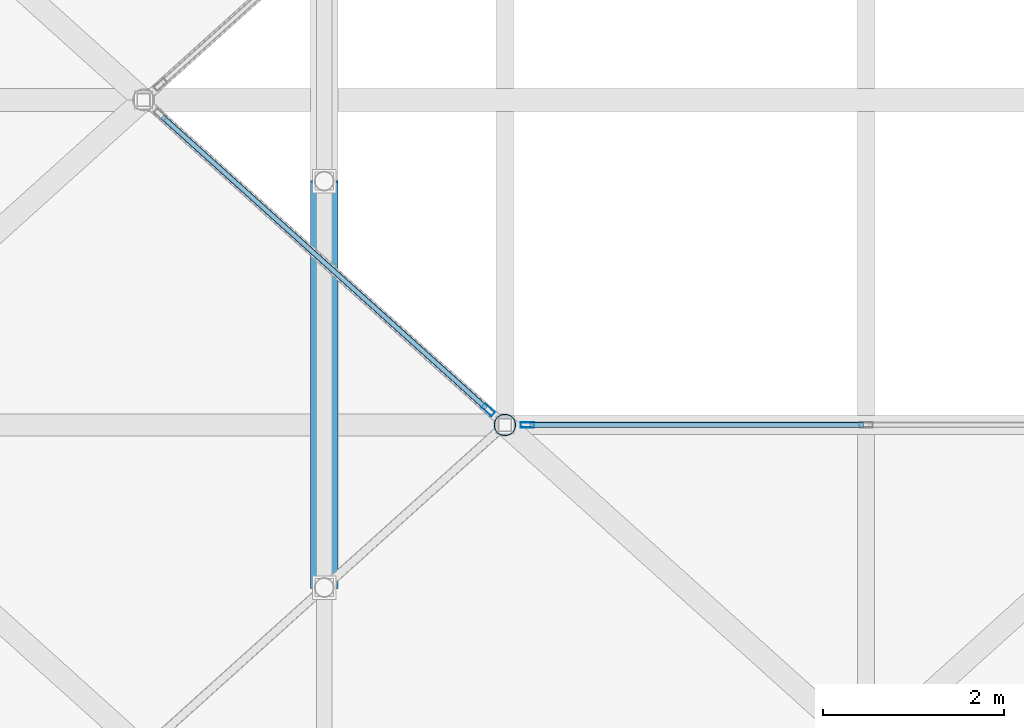
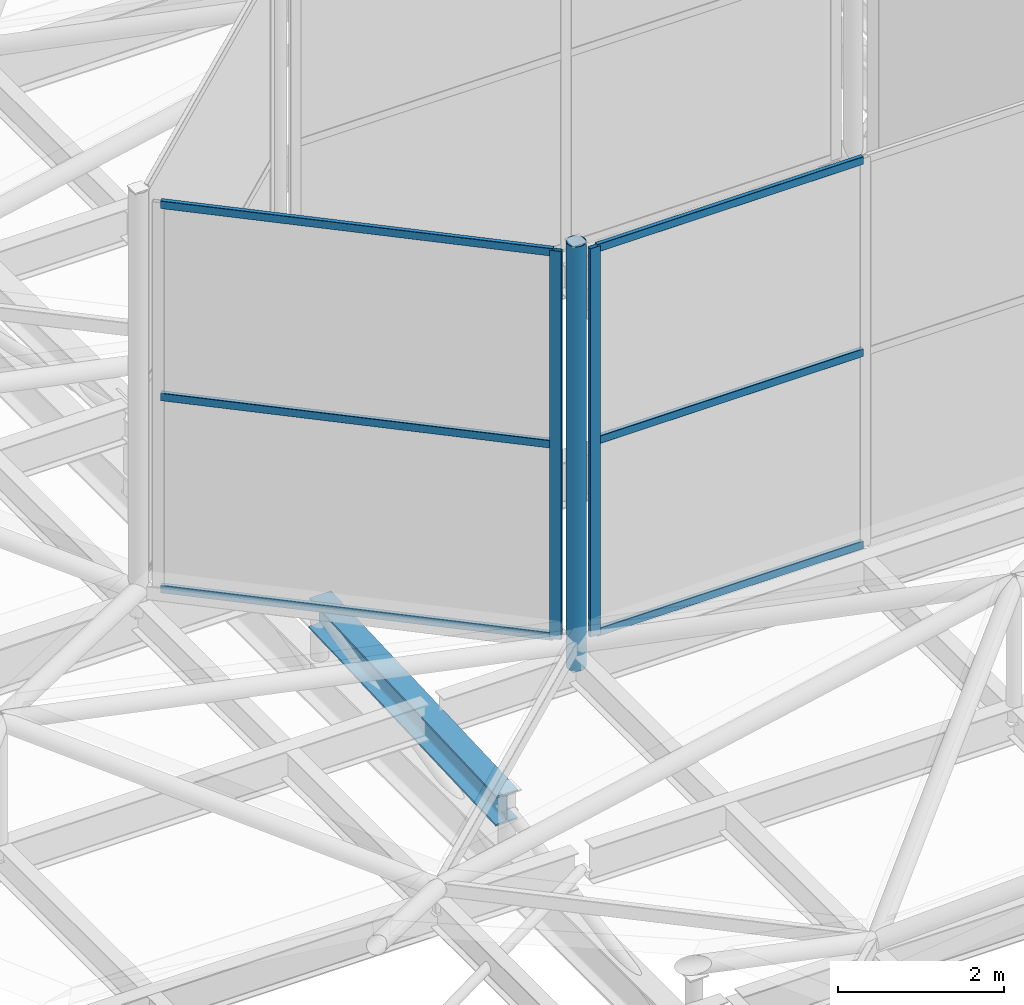
# One storey, part 23 of 239: 9 members, 1 beam, 2 elements without a shape of their own.
"""IFC4 building model written with IfcOpenShell, lengths in metres."""

import ifcopenshell
import ifcopenshell.guid

model = None  # the IFC model being written
_history = None  # IfcOwnerHistory: only IFC2X3 demands one
_inside = {}  # id of a spatial element -> (the spatial element, [elements in it])
_under = {}  # id of a project, library or spatial element -> (it, [spatial elements below it])
_declared = {}  # id of a project -> (the project, [libraries it declares])
_typed = {}  # id of a type object -> (the type object, [elements of that type])
_made_of = {}  # id of a material, layer set ... -> (it, [elements and type objects made of it])


def new_model(schema):
    """Start an empty IFC model of exactly this schema.

    Asked for "IFC4X3", IfcOpenShell would pick the latest addendum, in which some entities
    have other attributes; the version numbers below select the first issue.
    IFC2X3 requires an IfcOwnerHistory on every rooted entity: one is made here for all.
    """
    global model, _history
    if schema == "IFC4X3":
        model = ifcopenshell.file(schema_version=(4, 3, 0, 0))
    else:
        model = ifcopenshell.file(schema=schema)
    _inside.clear()
    _under.clear()
    _declared.clear()
    _typed.clear()
    _made_of.clear()
    _history = None
    if model.schema == "IFC2X3":
        org = make("IfcOrganization", Name="unknown")
        user = make(
            "IfcPersonAndOrganization",
            ThePerson=make("IfcPerson", FamilyName="unknown"),
            TheOrganization=org,
        )
        app = make(
            "IfcApplication",
            ApplicationDeveloper=org,
            Version="unknown",
            ApplicationFullName="unknown",
            ApplicationIdentifier="unknown",
        )
        _history = make(
            "IfcOwnerHistory",
            OwningUser=user,
            OwningApplication=app,
            ChangeAction="ADDED",
            CreationDate=0,
        )
    return model


def make(cls, **values):
    """One entity of the class cls with the attributes given. An attribute that is None is left unset."""
    return model.create_entity(
        cls, **{name: value for name, value in values.items() if value is not None}
    )


def rooted(cls, **values):
    """An entity with a GlobalId (a new one), such as an element, a storey or a relation."""
    return make(cls, GlobalId=ifcopenshell.guid.new(), OwnerHistory=_history, **values)


def si_unit(unit_type, name, prefix=None):
    """IfcSIUnit, for example si_unit("LENGTHUNIT", "METRE", prefix="MILLI")."""
    return make("IfcSIUnit", UnitType=unit_type, Prefix=prefix, Name=name)


def assignment(units):
    """IfcUnitAssignment: the units of a project."""
    return None if units is None else make("IfcUnitAssignment", Units=units)


def point(xyz):
    """IfcCartesianPoint."""
    return None if xyz is None else make("IfcCartesianPoint", Coordinates=xyz)


def direction(xyz):
    """IfcDirection."""
    return None if xyz is None else make("IfcDirection", DirectionRatios=xyz)


def frame(location, z_axis=None, x_axis=None):
    """IfcAxis2Placement3D, a coordinate frame: its origin and axes. An axis left out is left unset."""
    return make(
        "IfcAxis2Placement3D",
        Location=point(location),
        Axis=direction(z_axis),
        RefDirection=direction(x_axis),
    )


def frame_2d(location, x_axis=None):
    """IfcAxis2Placement2D, a coordinate frame in the plane: its origin and x axis."""
    return make(
        "IfcAxis2Placement2D", Location=point(location), RefDirection=direction(x_axis)
    )


def origin():
    """The frame at (0, 0, 0) with its axes left unset."""
    return frame((0.0, 0.0, 0.0))


def origin_2d():
    """The frame at (0, 0) in the plane with its x axis left unset."""
    return frame_2d((0.0, 0.0))


def place(relative_to, where):
    """IfcLocalPlacement: puts the frame where relative to a parent placement (None: the world)."""
    return make(
        "IfcLocalPlacement", PlacementRelTo=relative_to, RelativePlacement=where
    )


def context(
    kind, dimensions, precision=None, world=None, true_north=None, identifier=None
):
    """IfcGeometricRepresentationContext, for example the 3D "Model" context."""
    return make(
        "IfcGeometricRepresentationContext",
        ContextIdentifier=identifier,
        ContextType=kind,
        CoordinateSpaceDimension=dimensions,
        Precision=precision,
        WorldCoordinateSystem=world,
        TrueNorth=true_north,
    )


def subcontext(parent, identifier, kind, view, scale=None):
    """IfcGeometricRepresentationSubContext, for example "Body" below "Model"."""
    return make(
        "IfcGeometricRepresentationSubContext",
        ContextIdentifier=identifier,
        ContextType=kind,
        ParentContext=parent,
        TargetScale=scale,
        TargetView=view,
    )


def project(units=None, contexts=None):
    """IfcProject with its units and contexts."""
    return rooted(
        "IfcProject",
        Name="project",
        RepresentationContexts=contexts,
        UnitsInContext=assignment(units),
    )


def spatial(cls, under=None, at=None, **own):
    """A site, building, storey or space (cls), placed at a placement, below another one or the project."""
    s = rooted(cls, ObjectPlacement=at, **own)
    if under is not None:
        _under.setdefault(under.id(), (under, []))[1].append(s)
    return s


def profile(cls, at=None, kind="AREA", **sizes):
    """A parametric profile (cls). Its sizes go by their IFC names, for example OverallWidth=200.0."""
    return make(cls, ProfileType=kind, Position=at, **sizes)


def hollow_rectangle(**sizes):
    """IfcRectangleHollowProfileDef."""
    return profile("IfcRectangleHollowProfileDef", **sizes)


def hollow_circle(**sizes):
    """IfcCircleHollowProfileDef."""
    return profile("IfcCircleHollowProfileDef", **sizes)


def i_section(**sizes):
    """IfcIShapeProfileDef."""
    return profile("IfcIShapeProfileDef", **sizes)


def extrude(swept, where, along, depth):
    """IfcExtrudedAreaSolid: the profile swept, set in the frame where, extruded along a direction by depth."""
    return make(
        "IfcExtrudedAreaSolid",
        SweptArea=swept,
        Position=where,
        ExtrudedDirection=direction(along),
        Depth=depth,
    )


def shape(context_of_items, identifier, shape_type, items):
    """IfcShapeRepresentation: the items that make up one representation, for example the "Body"."""
    return make(
        "IfcShapeRepresentation",
        ContextOfItems=context_of_items,
        RepresentationIdentifier=identifier,
        RepresentationType=shape_type,
        Items=items,
    )


def material(Name=None, Category=None):
    """IfcMaterial."""
    return make("IfcMaterial", Name=Name, Category=Category)


def layer(
    of_material, thickness, ventilated=None, Name=None, Category=None, Priority=None
):
    """IfcMaterialLayer: one layer of a wall or slab, of a material (None: an air gap)."""
    return make(
        "IfcMaterialLayer",
        Material=of_material,
        LayerThickness=thickness,
        IsVentilated=ventilated,
        Name=Name,
        Category=Category,
        Priority=Priority,
    )


def layer_set(layers, Name=None):
    """IfcMaterialLayerSet."""
    return make("IfcMaterialLayerSet", MaterialLayers=layers, LayerSetName=Name)


def material_profile(
    of_material, cross_section, Name=None, Category=None, Priority=None
):
    """IfcMaterialProfile: a cross section and its material."""
    return make(
        "IfcMaterialProfile",
        Name=Name,
        Material=of_material,
        Profile=cross_section,
        Priority=Priority,
        Category=Category,
    )


def profile_set(profiles, Name=None, composite=None):
    """IfcMaterialProfileSet."""
    return make(
        "IfcMaterialProfileSet",
        Name=Name,
        MaterialProfiles=profiles,
        CompositeProfile=composite,
    )


def made_of(thing, what):
    """Note that an element or type object is made of a material, layer set ...; save() writes the relation."""
    if what is not None:
        _made_of.setdefault(what.id(), (what, []))[1].append(thing)
    return thing


def type_object(cls, material=None, **own):
    """A type object (cls), such as IfcWallType, which elements share."""
    return made_of(rooted(cls, **own), material)


def element(
    cls,
    number,
    at=None,
    inside=None,
    cuts=None,
    type_object=None,
    material=None,
    context=None,
    identifier="Body",
    shape_type=None,
    held_by="IfcProductDefinitionShape",
    body=None,
    shapes=None,
    **own,
):
    """One element of the class cls, such as IfcWall. Its Tag is "e" and its number.

    at: its placement. inside: the storey or other place that contains it. cuts: it is an
    opening in that element (IfcRelVoidsElement). A single representation is given by context,
    identifier, shape_type and body (its items); several are given by shapes. held_by: the class
    of the entity that holds the representations. save() writes the other relations.
    """
    e = rooted(cls, Tag="e%d" % number, ObjectPlacement=at, **own)
    if body is not None:
        shapes = [shape(context, identifier, shape_type, body)]
    if shapes is not None:
        e.Representation = make(held_by, Representations=shapes)
    if inside is not None:
        _inside.setdefault(inside.id(), (inside, []))[1].append(e)
    if cuts is not None:
        rooted(
            "IfcRelVoidsElement", RelatingBuildingElement=cuts, RelatedOpeningElement=e
        )
    if type_object is not None:
        _typed.setdefault(type_object.id(), (type_object, []))[1].append(e)
    return made_of(e, material)


def aggregate(whole, parts):
    """IfcRelAggregates: a whole, such as a stair, and the parts it consists of."""
    return rooted("IfcRelAggregates", RelatingObject=whole, RelatedObjects=parts)


def save(model, path):
    """Write the relations noted so far, then the file.

    IfcRelAggregates (storeys below a building ...), IfcRelContainedInSpatialStructure (elements
    in a storey), IfcRelDefinesByType, IfcRelAssociatesMaterial and IfcRelDeclares: one each for
    every whole, place, type object, material and project.
    """
    for whole, parts in _under.values():
        aggregate(whole, parts)
    for where, things in _inside.values():
        rooted(
            "IfcRelContainedInSpatialStructure",
            RelatedElements=things,
            RelatingStructure=where,
        )
    for kind, things in _typed.values():
        rooted("IfcRelDefinesByType", RelatedObjects=things, RelatingType=kind)
    for what, things in _made_of.values():
        rooted("IfcRelAssociatesMaterial", RelatedObjects=things, RelatingMaterial=what)
    for by, libraries in _declared.values():
        rooted("IfcRelDeclares", RelatingContext=by, RelatedDefinitions=libraries)
    model.write(path)


model = new_model("IFC4")

# Units and contexts
model_context = context("Model", 3, precision=1e-05, world=origin(), true_north=direction((0.0, 1.0)))
body_context = subcontext(model_context, "Body", "Model", "MODEL_VIEW")
ifc_project = project(units=[si_unit("LENGTHUNIT", "METRE"), si_unit("AREAUNIT", "SQUARE_METRE"), si_unit("VOLUMEUNIT", "CUBIC_METRE"), si_unit("PLANEANGLEUNIT", "RADIAN"), si_unit("MASSUNIT", "GRAM", prefix="KILO")], contexts=[model_context])

# Site, building, storey
site_placement = place(None, origin())
site = spatial("IfcSite", under=ifc_project, at=site_placement, CompositionType="ELEMENT")
building_placement = place(site_placement, origin())
building = spatial("IfcBuilding", under=site, at=building_placement, Name="Dunvalen Ferry Terminal", CompositionType="ELEMENT")
storey_placement = place(building_placement, frame((0.0, 0.0, 9.840087890625)))
storey = spatial("IfcBuildingStorey", under=building, at=storey_placement, Name="L02", CompositionType="ELEMENT", Elevation=9.840087890625)

# Curtain wall, member
ifc_material_1 = material(Name="Anodised marine aluminium and solar-control glazing", Category="aluminium")
ifc_layer_1 = layer(ifc_material_1, 0.179931640625, Name="Anodised marine aluminium and solar-control glazing")
ifc_layer_set_1 = layer_set([ifc_layer_1], Name="Anodised marine aluminium and solar-control glazing")
curtain_wall_type_1 = type_object("IfcCurtainWallType", Name="ENV-CW-SYS-05", PredefinedType="NOTDEFINED", material=ifc_layer_set_1)
curtain_wall_1_placement = place(storey_placement, origin())
curtain_wall_1 = element("IfcCurtainWall", 1, at=curtain_wall_1_placement, inside=storey, type_object=curtain_wall_type_1, Name="L02 Curtain Wall CW-HEX-25-SK-1", PredefinedType="NOTDEFINED")
ifc_material_2 = material(Name="Anodised marine aluminium EN AW-6063 T6", Category="aluminium")
ifc_material_profile_1 = material_profile(ifc_material_2, hollow_rectangle(XDim=0.06005859375, YDim=0.14990234375, WallThickness=0.00341796875, InnerFilletRadius=0.00341796875, OuterFilletRadius=0.007080078125, at=origin_2d()), Name="Anodised marine aluminium EN AW-6063 T6")
ifc_profile_set_1 = profile_set([ifc_material_profile_1], Name="Anodised marine aluminium EN AW-6063 T6")
member_type_1 = type_object("IfcMemberType", Name="ENV-CW-MUL-3", PredefinedType="MULLION", material=ifc_profile_set_1)
member_1_placement = place(storey_placement, frame((49.814208984375, 61.3671875, 1.139892578125), z_axis=(0.0, 0.0, 1.0), x_axis=(0.668953550894, 0.74330420875, 0.0)))
member_1 = element("IfcMember", 2, at=member_1_placement, type_object=member_type_1, Name="CW-05 mullion 2", PredefinedType="MULLION", context=body_context, shape_type="SweptSolid", body=[
    extrude(hollow_rectangle(XDim=0.06005859375, YDim=0.14990234375, WallThickness=0.00341796875, InnerFilletRadius=0.00341796875, OuterFilletRadius=0.007080078125, at=origin_2d()), origin(), (0.0, 0.0, 1.0), 5.699951171875),
])

ifc_layer_2 = layer(ifc_material_1, 0.179931640625, Name="Anodised marine aluminium and solar-control glazing")
ifc_layer_set_2 = layer_set([ifc_layer_2], Name="Anodised marine aluminium and solar-control glazing")
curtain_wall_type_2 = type_object("IfcCurtainWallType", Name="ENV-CW-SYS-06", PredefinedType="NOTDEFINED", material=ifc_layer_set_2)
curtain_wall_2_placement = place(storey_placement, origin())
curtain_wall_2 = element("IfcCurtainWall", 3, at=curtain_wall_2_placement, inside=storey, type_object=curtain_wall_type_2, Name="L02 Curtain Wall CW-HEX-25-SK-2", PredefinedType="NOTDEFINED")
member_2_placement = place(storey_placement, frame((50.25, 61.199951171875, 1.139892578125), z_axis=(0.0, 0.0, 1.0), x_axis=(0.0, 1.0, 0.0)))
member_2 = element("IfcMember", 4, at=member_2_placement, type_object=member_type_1, Name="CW-06 mullion 1", PredefinedType="MULLION", context=body_context, shape_type="SweptSolid", body=[
    extrude(hollow_rectangle(XDim=0.06005859375, YDim=0.14990234375, WallThickness=0.00341796875, InnerFilletRadius=0.00341796875, OuterFilletRadius=0.007080078125, at=origin_2d()), origin(), (0.0, 0.0, 1.0), 5.699951171875),
])

# Member
ifc_material_profile_2 = material_profile(ifc_material_2, hollow_rectangle(XDim=0.06005859375, YDim=0.114990234375, WallThickness=0.0029296875, InnerFilletRadius=0.0029296875, OuterFilletRadius=0.006103515625, at=origin_2d()), Name="Anodised marine aluminium EN AW-6063 T6")
ifc_profile_set_2 = profile_set([ifc_material_profile_2], Name="Anodised marine aluminium EN AW-6063 T6")
member_type_2 = type_object("IfcMemberType", Name="ENV-CW-TRN-3", PredefinedType="USERDEFINED", material=ifc_profile_set_2)
member_3_placement = place(storey_placement, frame((46.2080078125, 64.612548828125, 1.169921875), z_axis=(0.743344500928, -0.668908777742, 0.0), x_axis=(0.668908777742, 0.743344500928, 0.0)))
member_3 = element("IfcMember", 5, at=member_3_placement, type_object=member_type_2, Name="CW-05 transom 1.1", ObjectType="TRANSOM", PredefinedType="USERDEFINED", context=body_context, shape_type="SweptSolid", body=[
    extrude(hollow_rectangle(XDim=0.06005859375, YDim=0.114990234375, WallThickness=0.0029296875, InnerFilletRadius=0.0029296875, OuterFilletRadius=0.006103515625, at=origin_2d()), origin(), (0.0, 0.0, 1.0), 4.821533203125),
])

member_4_placement = place(storey_placement, frame((46.2080078125, 64.612548828125, 3.989990234375), z_axis=(0.743344500928, -0.668908777742, 0.0), x_axis=(0.668908777742, 0.743344500928, 0.0)))
member_4 = element("IfcMember", 6, at=member_4_placement, type_object=member_type_2, Name="CW-05 transom 1.2", ObjectType="TRANSOM", PredefinedType="USERDEFINED", context=body_context, shape_type="SweptSolid", body=[
    extrude(hollow_rectangle(XDim=0.06005859375, YDim=0.114990234375, WallThickness=0.0029296875, InnerFilletRadius=0.0029296875, OuterFilletRadius=0.006103515625, at=origin_2d()), origin(), (0.0, 0.0, 1.0), 4.821533203125),
])

member_5_placement = place(storey_placement, frame((46.2080078125, 64.612548828125, 6.809814453125), z_axis=(0.743344500928, -0.668908777742, 0.0), x_axis=(0.668908777742, 0.743344500928, 0.0)))
member_5 = element("IfcMember", 7, at=member_5_placement, type_object=member_type_2, Name="CW-05 transom 1.3", ObjectType="TRANSOM", PredefinedType="USERDEFINED", context=body_context, shape_type="SweptSolid", body=[
    extrude(hollow_rectangle(XDim=0.06005859375, YDim=0.114990234375, WallThickness=0.0029296875, InnerFilletRadius=0.0029296875, OuterFilletRadius=0.006103515625, at=origin_2d()), origin(), (0.0, 0.0, 1.0), 4.821533203125),
])

aggregate(curtain_wall_1, [member_1, member_3, member_4, member_5])

member_6_placement = place(storey_placement, frame((50.280029296875, 61.199951171875, 1.169921875), z_axis=(1.0, 0.0, 0.0), x_axis=(0.0, 1.0, 0.0)))
member_6 = element("IfcMember", 8, at=member_6_placement, type_object=member_type_2, Name="CW-06 transom 1.1", ObjectType="TRANSOM", PredefinedType="USERDEFINED", context=body_context, shape_type="SweptSolid", body=[
    extrude(hollow_rectangle(XDim=0.06005859375, YDim=0.114990234375, WallThickness=0.0029296875, InnerFilletRadius=0.0029296875, OuterFilletRadius=0.006103515625, at=origin_2d()), origin(), (0.0, 0.0, 1.0), 3.68994140625),
])

member_7_placement = place(storey_placement, frame((50.280029296875, 61.199951171875, 3.989990234375), z_axis=(1.0, 0.0, 0.0), x_axis=(0.0, 1.0, 0.0)))
member_7 = element("IfcMember", 9, at=member_7_placement, type_object=member_type_2, Name="CW-06 transom 1.2", ObjectType="TRANSOM", PredefinedType="USERDEFINED", context=body_context, shape_type="SweptSolid", body=[
    extrude(hollow_rectangle(XDim=0.06005859375, YDim=0.114990234375, WallThickness=0.0029296875, InnerFilletRadius=0.0029296875, OuterFilletRadius=0.006103515625, at=origin_2d()), origin(), (0.0, 0.0, 1.0), 3.68994140625),
])

member_8_placement = place(storey_placement, frame((50.280029296875, 61.199951171875, 6.809814453125), z_axis=(1.0, 0.0, 0.0), x_axis=(0.0, 1.0, 0.0)))
member_8 = element("IfcMember", 10, at=member_8_placement, type_object=member_type_2, Name="CW-06 transom 1.3", ObjectType="TRANSOM", PredefinedType="USERDEFINED", context=body_context, shape_type="SweptSolid", body=[
    extrude(hollow_rectangle(XDim=0.06005859375, YDim=0.114990234375, WallThickness=0.0029296875, InnerFilletRadius=0.0029296875, OuterFilletRadius=0.006103515625, at=origin_2d()), origin(), (0.0, 0.0, 1.0), 3.68994140625),
])

aggregate(curtain_wall_2, [member_2, member_6, member_7, member_8])

# Beam
ifc_material_3 = material(Name="Steel S355", Category="steel")
ifc_material_profile_3 = material_profile(ifc_material_3, i_section(OverallWidth=0.300048828125, OverallDepth=0.449951171875, WebThickness=0.013916015625, FlangeThickness=0.02587890625, FilletRadius=0.027099609375, at=origin_2d()), Name="Steel S355")
ifc_profile_set_3 = profile_set([ifc_material_profile_3], Name="Steel S355")
beam_type = type_object("IfcBeamType", Name="STR-BM-HEB450", PredefinedType="BEAM", material=ifc_profile_set_3)
beam_placement = place(storey_placement, frame((48.0, 59.39990234375, 0.474853515625), z_axis=(0.0, 0.999166564808, 0.040818816368), x_axis=(-1.0, 0.0, 0.0)))
element("IfcBeam", 11, at=beam_placement, inside=storey, type_object=beam_type, Name="Departure Hall Tied-Arch Rib 04.3", PredefinedType="BEAM", context=body_context, shape_type="SweptSolid", body=[
    extrude(i_section(OverallWidth=0.300048828125, OverallDepth=0.449951171875, WebThickness=0.013916015625, FlangeThickness=0.02587890625, FilletRadius=0.027099609375, at=origin_2d()), origin(), (0.0, 0.0, 1.0), 4.503662109375),
])

# Member
ifc_material_profile_4 = material_profile(ifc_material_3, hollow_circle(Radius=0.122314453125, WallThickness=0.010009765625, at=origin_2d()), Name="Steel S355")
ifc_profile_set_4 = profile_set([ifc_material_profile_4], Name="Steel S355")
member_type_3 = type_object("IfcMemberType", Name="STR-MB-CHS244", PredefinedType="STRUT", material=ifc_profile_set_4)
member_9_placement = place(storey_placement, frame((50.0, 61.199951171875, 0.77001953125), z_axis=(0.0, 0.0, 1.0), x_axis=(1.0, 0.0, 0.0)))
element("IfcMember", 12, at=member_9_placement, inside=storey, type_object=member_type_3, Name="HEX-25 Skylight Lantern Corner Strut 2", PredefinedType="STRUT", context=body_context, shape_type="SweptSolid", body=[
    extrude(hollow_circle(Radius=0.122314453125, WallThickness=0.010009765625, at=origin_2d()), origin(), (0.0, 0.0, 1.0), 6.22998046875),
])

save(model, "model.ifc")
